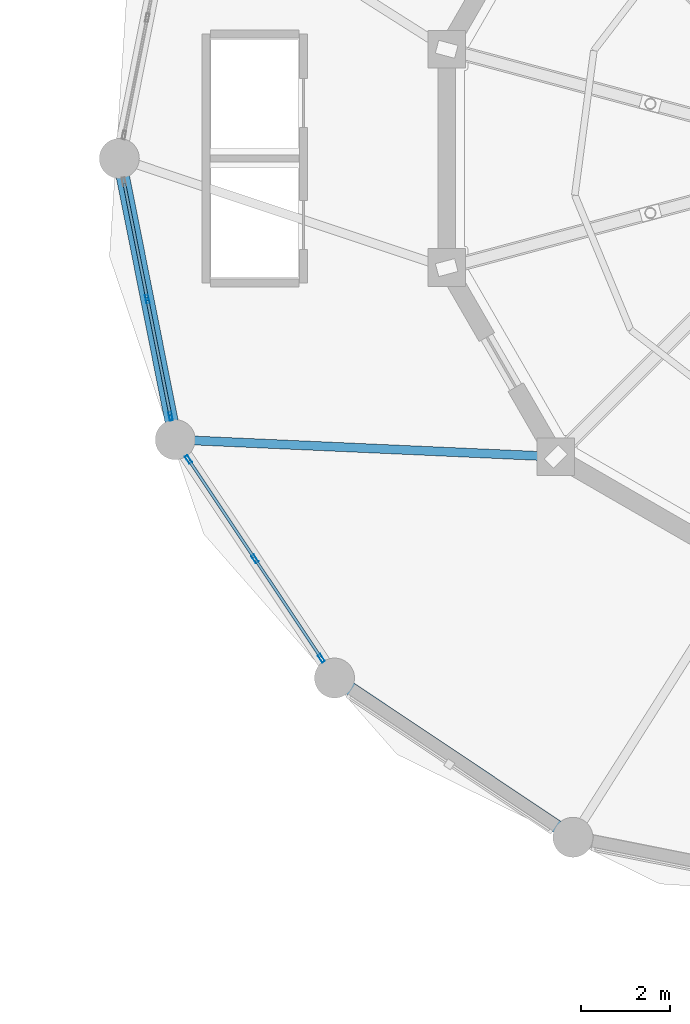
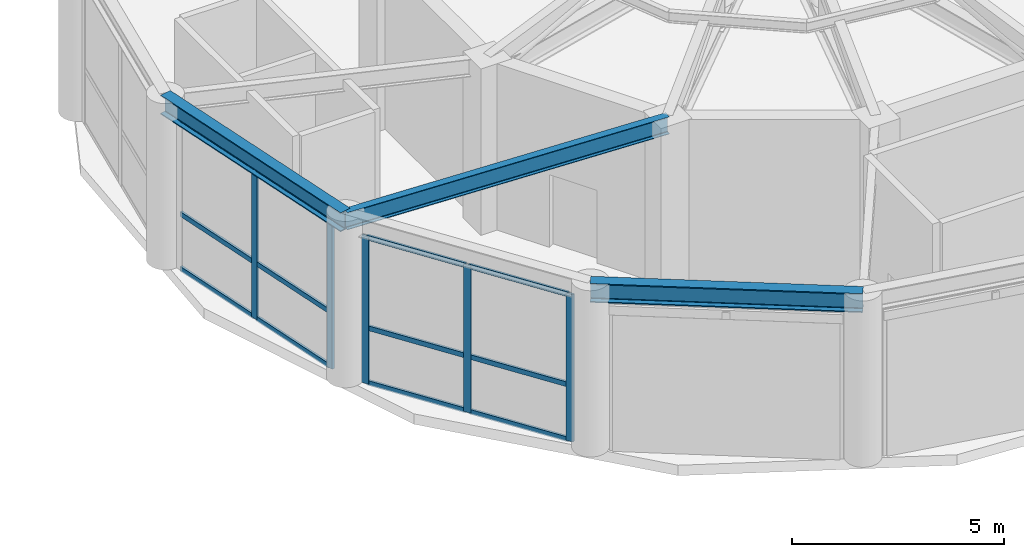
# One storey, part 7 of 26: 17 members, 3 beams, 2 elements without a shape of their own.
"""IFC4 building model written with IfcOpenShell, lengths in metres."""

from ifc_helpers import new_model, si_unit, derived_unit, direction, frame, origin, origin_2d, place, context, subcontext, project, spatial, hollow_rectangle, i_section, extrude, source, transform, mapped, material, layer, layer_set, material_profile, profile_set, type_object, element, aggregate, save


model = new_model("IFC4")

# Units and contexts
model_context = context("Model", 3, precision=1e-05, world=origin(), true_north=direction((0.0, 1.0)))
body_context = subcontext(model_context, "Body", "Model", "MODEL_VIEW")
ifc_project = project(units=[si_unit("LENGTHUNIT", "METRE"), si_unit("AREAUNIT", "SQUARE_METRE"), si_unit("VOLUMEUNIT", "CUBIC_METRE"), si_unit("PLANEANGLEUNIT", "RADIAN"), si_unit("MASSUNIT", "GRAM", prefix="KILO"), derived_unit("THERMALTRANSMITTANCEUNIT", [(si_unit("POWERUNIT", "WATT"), 1), (si_unit("LENGTHUNIT", "METRE"), -2), (si_unit("THERMODYNAMICTEMPERATUREUNIT", "KELVIN"), -1)])], contexts=[model_context])

# Site, building, storey
site_placement = place(None, origin())
site = spatial("IfcSite", under=ifc_project, at=site_placement, CompositionType="ELEMENT")
building_placement = place(site_placement, origin())
building = spatial("IfcBuilding", under=site, at=building_placement, Name="Korsvarv Bourse and Concert Hall", CompositionType="ELEMENT")
storey_placement = place(building_placement, frame((0.0, 0.0, 19.199951171875)))
storey = spatial("IfcBuildingStorey", under=building, at=storey_placement, Name="L04", CompositionType="ELEMENT", Elevation=19.199951171875)

# Beams
ifc_material_1 = material(Name="Steel S355", Category="steel")
ifc_material_profile_1 = material_profile(ifc_material_1, i_section(OverallWidth=0.300048828125, OverallDepth=0.550048828125, WebThickness=0.014892578125, FlangeThickness=0.029052734375, FilletRadius=0.02392578125, at=origin_2d()), Name="HEB 550")
ifc_profile_set_1 = profile_set([ifc_material_profile_1], Name="Steel S355")
beam_type_1 = type_object("IfcBeamType", Name="BM-HEB550", PredefinedType="BEAM", material=ifc_profile_set_1)
shared_shape_1 = source(origin(), body_context, "Body", "SweptSolid", [
    extrude(i_section(OverallWidth=0.300048828125, OverallDepth=0.550048828125, WebThickness=0.014892578125, FlangeThickness=0.029052734375, FilletRadius=0.02392578125, at=origin_2d()), origin(), (0.0, 0.0, 1.0), 6.45751953125),
])
for number, where, z_axis, x_axis, name in (
    (1, (90.25, 36.0, 4.525146484375), (0.195083607229, -0.980786616034, 0.0), (0.980786616034, 0.195083607229, 0.0), "L04 beam B-06"),
    (2, (95.097412109375, 24.29736328125, 4.525146484375), (0.83146235745, -0.55558109052, 0.0), (0.55558109052, 0.83146235745, 0.0), "L04 beam B-06"),
):
    element("IfcBeam", number, at=place(storey_placement, frame(where, z_axis=z_axis, x_axis=x_axis)), inside=storey, type_object=beam_type_1, Name=name, PredefinedType="BEAM", context=body_context, shape_type="MappedRepresentation", body=[
        mapped(shared_shape_1, transform((0.0, 0.0, 0.0), scale=1.0)),
    ])
ifc_material_profile_2 = material_profile(ifc_material_1, i_section(OverallWidth=0.199951171875, OverallDepth=0.5, WebThickness=0.01025390625, FlangeThickness=0.01611328125, FilletRadius=0.02099609375, at=origin_2d()), Name="IPE 500")
ifc_profile_set_2 = profile_set([ifc_material_profile_2], Name="Steel S355")
beam_type_2 = type_object("IfcBeamType", Name="BM-IPE500", PredefinedType="JOIST", material=ifc_profile_set_2)
shared_shape_2 = source(origin(), body_context, "Body", "SweptSolid", [
    extrude(i_section(OverallWidth=0.199951171875, OverallDepth=0.5, WebThickness=0.01025390625, FlangeThickness=0.01611328125, FilletRadius=0.02099609375, at=origin_2d()), origin(), (0.0, 0.0, 1.0), 8.581298828125),
])
beam_placement = place(storey_placement, frame((100.08251953125, 29.282470703125, 4.550048828125), z_axis=(-0.998998124412, 0.044752066119, 0.0), x_axis=(-0.044752066119, -0.998998124412, 0.0)))
element("IfcBeam", 3, at=beam_placement, inside=storey, type_object=beam_type_2, Name="L04 beam J-03", PredefinedType="JOIST", context=body_context, shape_type="MappedRepresentation", body=[
    mapped(shared_shape_2, transform((0.0, 0.0, 0.0), scale=1.0)),
])

# Curtain wall, members
ifc_material_2 = material(Name="Anodised aluminium and triple low-E glazing", Category="glass")
ifc_layer = layer(ifc_material_2, 0.22998046875)
ifc_layer_set = layer_set([ifc_layer], Name="Anodised aluminium and triple low-E glazing")
curtain_wall_type = type_object("IfcCurtainWallType", Name="CW-SYS-6", PredefinedType="NOTDEFINED", material=ifc_layer_set)
curtain_wall_1_placement = place(storey_placement, origin())
curtain_wall_1 = element("IfcCurtainWall", 4, at=curtain_wall_1_placement, inside=storey, type_object=curtain_wall_type, Name="L04 CW6 curtain wall CW-L04-CH09", PredefinedType="NOTDEFINED")
ifc_material_3 = material(Name="Extruded aluminium EN AW-6063 T66", Category="aluminium")
ifc_material_profile_3 = material_profile(ifc_material_3, hollow_rectangle(XDim=0.06494140625, YDim=0.139892578125, WallThickness=0.00390625, at=origin_2d()), Name="ALU-T 65x140")
ifc_profile_set_3 = profile_set([ifc_material_profile_3], Name="Extruded aluminium EN AW-6063 T66")
member_type_1 = type_object("IfcMemberType", Name="CWT-140", PredefinedType="USERDEFINED", material=ifc_profile_set_3)
shared_shape_3 = source(origin(), body_context, "Body", "SweptSolid", [
    extrude(hollow_rectangle(XDim=0.06494140625, YDim=0.139892578125, WallThickness=0.00390625, at=origin_2d()), origin(), (0.0, 0.0, 1.0), 2.62353515625),
])
member_1_placement = place(storey_placement, frame((90.88671875, 32.799072265625, 0.032470703125), z_axis=(0.195042311364, -0.980794829094, 0.0), x_axis=(0.980794829094, 0.195042311364, 0.0)))
member_1 = element("IfcMember", 5, at=member_1_placement, type_object=member_type_1, Name="CW6 transom 2.1", ObjectType="TRANSOM", PredefinedType="USERDEFINED", context=body_context, shape_type="MappedRepresentation", body=[
    mapped(shared_shape_3, transform((0.0, 0.0, 0.0), scale=1.0)),
])
member_2_placement = place(storey_placement, frame((90.88671875, 32.799072265625, 1.614990234375), z_axis=(0.195042311364, -0.980794829094, 0.0), x_axis=(0.980794829094, 0.195042311364, 0.0)))
member_2 = element("IfcMember", 6, at=member_2_placement, type_object=member_type_1, Name="CW6 transom 2.2", ObjectType="TRANSOM", PredefinedType="USERDEFINED", context=body_context, shape_type="MappedRepresentation", body=[
    mapped(shared_shape_3, transform((0.0, 0.0, 0.0), scale=1.0)),
])
member_3_placement = place(storey_placement, frame((90.88671875, 32.799072265625, 4.217529296875), z_axis=(0.195042311364, -0.980794829094, 0.0), x_axis=(0.980794829094, 0.195042311364, 0.0)))
member_3 = element("IfcMember", 7, at=member_3_placement, type_object=member_type_1, Name="CW6 transom 2.3", ObjectType="TRANSOM", PredefinedType="USERDEFINED", context=body_context, shape_type="MappedRepresentation", body=[
    mapped(shared_shape_3, transform((0.0, 0.0, 0.0), scale=1.0)),
])

curtain_wall_2_placement = place(storey_placement, origin())
curtain_wall_2 = element("IfcCurtainWall", 8, at=curtain_wall_2_placement, inside=storey, type_object=curtain_wall_type, Name="L04 CW6 curtain wall CW-L04-CH10", PredefinedType="NOTDEFINED")
member_4_placement = place(storey_placement, frame((91.82666015625, 29.1923828125, 0.032470703125), z_axis=(0.555558901624, -0.831477183587, 0.0), x_axis=(0.831477183587, 0.555558901624, 0.0)))
member_4 = element("IfcMember", 9, at=member_4_placement, type_object=member_type_1, Name="CW6 transom 1.1", ObjectType="TRANSOM", PredefinedType="USERDEFINED", context=body_context, shape_type="MappedRepresentation", body=[
    mapped(shared_shape_3, transform((0.0, 0.0, 0.0), scale=1.0)),
])
member_5_placement = place(storey_placement, frame((91.82666015625, 29.1923828125, 1.614990234375), z_axis=(0.555558901624, -0.831477183587, 0.0), x_axis=(0.831477183587, 0.555558901624, 0.0)))
member_5 = element("IfcMember", 10, at=member_5_placement, type_object=member_type_1, Name="CW6 transom 1.2", ObjectType="TRANSOM", PredefinedType="USERDEFINED", context=body_context, shape_type="MappedRepresentation", body=[
    mapped(shared_shape_3, transform((0.0, 0.0, 0.0), scale=1.0)),
])
member_6_placement = place(storey_placement, frame((91.82666015625, 29.1923828125, 4.217529296875), z_axis=(0.555558901624, -0.831477183587, 0.0), x_axis=(0.831477183587, 0.555558901624, 0.0)))
member_6 = element("IfcMember", 11, at=member_6_placement, type_object=member_type_1, Name="CW6 transom 1.3", ObjectType="TRANSOM", PredefinedType="USERDEFINED", context=body_context, shape_type="MappedRepresentation", body=[
    mapped(shared_shape_3, transform((0.0, 0.0, 0.0), scale=1.0)),
])
member_7_placement = place(storey_placement, frame((93.322998046875, 26.952880859375, 0.032470703125), z_axis=(0.555558901624, -0.831477183587, 0.0), x_axis=(0.831477183587, 0.555558901624, 0.0)))
member_7 = element("IfcMember", 12, at=member_7_placement, type_object=member_type_1, Name="CW6 transom 2.1", ObjectType="TRANSOM", PredefinedType="USERDEFINED", context=body_context, shape_type="MappedRepresentation", body=[
    mapped(shared_shape_3, transform((0.0, 0.0, 0.0), scale=1.0)),
])
member_8_placement = place(storey_placement, frame((93.322998046875, 26.952880859375, 1.614990234375), z_axis=(0.555558901624, -0.831477183587, 0.0), x_axis=(0.831477183587, 0.555558901624, 0.0)))
member_8 = element("IfcMember", 13, at=member_8_placement, type_object=member_type_1, Name="CW6 transom 2.2", ObjectType="TRANSOM", PredefinedType="USERDEFINED", context=body_context, shape_type="MappedRepresentation", body=[
    mapped(shared_shape_3, transform((0.0, 0.0, 0.0), scale=1.0)),
])
member_9_placement = place(storey_placement, frame((93.322998046875, 26.952880859375, 4.217529296875), z_axis=(0.555558901624, -0.831477183587, 0.0), x_axis=(0.831477183587, 0.555558901624, 0.0)))
member_9 = element("IfcMember", 14, at=member_9_placement, type_object=member_type_1, Name="CW6 transom 2.3", ObjectType="TRANSOM", PredefinedType="USERDEFINED", context=body_context, shape_type="MappedRepresentation", body=[
    mapped(shared_shape_3, transform((0.0, 0.0, 0.0), scale=1.0)),
])

# Member
shared_shape_4 = source(origin(), body_context, "Body", "SweptSolid", [
    extrude(hollow_rectangle(XDim=0.06494140625, YDim=0.139892578125, WallThickness=0.00390625, at=origin_2d()), origin(), (0.0, 0.0, 1.0), 2.623291015625),
])
member_10_placement = place(storey_placement, frame((90.361328125, 35.440673828125, 0.032470703125), z_axis=(0.195060113964, -0.980791288675, 0.0), x_axis=(0.980791288675, 0.195060113964, 0.0)))
member_10 = element("IfcMember", 15, at=member_10_placement, type_object=member_type_1, Name="CW6 transom 1.1", ObjectType="TRANSOM", PredefinedType="USERDEFINED", context=body_context, shape_type="MappedRepresentation", body=[
    mapped(shared_shape_4, transform((0.0, 0.0, 0.0), scale=1.0)),
])

member_11_placement = place(storey_placement, frame((90.361328125, 35.440673828125, 1.614990234375), z_axis=(0.195060113964, -0.980791288675, 0.0), x_axis=(0.980791288675, 0.195060113964, 0.0)))
member_11 = element("IfcMember", 16, at=member_11_placement, type_object=member_type_1, Name="CW6 transom 1.2", ObjectType="TRANSOM", PredefinedType="USERDEFINED", context=body_context, shape_type="MappedRepresentation", body=[
    mapped(shared_shape_4, transform((0.0, 0.0, 0.0), scale=1.0)),
])

member_12_placement = place(storey_placement, frame((90.361328125, 35.440673828125, 4.217529296875), z_axis=(0.195060113964, -0.980791288675, 0.0), x_axis=(0.980791288675, 0.195060113964, 0.0)))
member_12 = element("IfcMember", 17, at=member_12_placement, type_object=member_type_1, Name="CW6 transom 1.3", ObjectType="TRANSOM", PredefinedType="USERDEFINED", context=body_context, shape_type="MappedRepresentation", body=[
    mapped(shared_shape_4, transform((0.0, 0.0, 0.0), scale=1.0)),
])

ifc_material_profile_4 = material_profile(ifc_material_3, hollow_rectangle(XDim=0.070068359375, YDim=0.18994140625, WallThickness=0.0048828125, at=origin_2d()), Name="ALU-M 70x190")
ifc_profile_set_4 = profile_set([ifc_material_profile_4], Name="Extruded aluminium EN AW-6063 T66")
member_type_2 = type_object("IfcMemberType", Name="CWM-190", PredefinedType="MULLION", material=ifc_profile_set_4)
shared_shape_5 = source(origin(), body_context, "Body", "SweptSolid", [
    extrude(hollow_rectangle(XDim=0.070068359375, YDim=0.18994140625, WallThickness=0.0048828125, at=origin_2d()), origin(), (0.0, 0.0, 1.0), 4.25),
])
member_13_placement = place(storey_placement, frame((90.8798828125, 32.833251953125, 0.0), z_axis=(0.0, 0.0, 1.0), x_axis=(0.980785938629, 0.195087012862, 0.0)))
member_13 = element("IfcMember", 18, at=member_13_placement, type_object=member_type_2, Name="CW6 mullion 2", PredefinedType="MULLION", context=body_context, shape_type="MappedRepresentation", body=[
    mapped(shared_shape_5, transform((0.0, 0.0, 0.0), scale=1.0)),
])

member_14_placement = place(storey_placement, frame((91.4052734375, 30.19140625, 0.0), z_axis=(0.0, 0.0, 1.0), x_axis=(0.980785938629, 0.195087012862, 0.0)))
member_14 = element("IfcMember", 19, at=member_14_placement, type_object=member_type_2, Name="CW6 mullion 3", PredefinedType="MULLION", context=body_context, shape_type="MappedRepresentation", body=[
    mapped(shared_shape_5, transform((0.0, 0.0, 0.0), scale=1.0)),
])

aggregate(curtain_wall_1, [member_13, member_14, member_10, member_11, member_12, member_1, member_2, member_3])

member_15_placement = place(storey_placement, frame((91.80712890625, 29.2216796875, 0.0), z_axis=(0.0, 0.0, 1.0), x_axis=(0.831469083386, 0.555571024599, 0.0)))
member_15 = element("IfcMember", 20, at=member_15_placement, type_object=member_type_2, Name="CW6 mullion 1", PredefinedType="MULLION", context=body_context, shape_type="MappedRepresentation", body=[
    mapped(shared_shape_5, transform((0.0, 0.0, 0.0), scale=1.0)),
])

member_16_placement = place(storey_placement, frame((93.3037109375, 26.98193359375, 0.0), z_axis=(0.0, 0.0, 1.0), x_axis=(0.831469083386, 0.555571024599, 0.0)))
member_16 = element("IfcMember", 21, at=member_16_placement, type_object=member_type_2, Name="CW6 mullion 2", PredefinedType="MULLION", context=body_context, shape_type="MappedRepresentation", body=[
    mapped(shared_shape_5, transform((0.0, 0.0, 0.0), scale=1.0)),
])

member_17_placement = place(storey_placement, frame((94.800048828125, 24.742431640625, 0.0), z_axis=(0.0, 0.0, 1.0), x_axis=(0.831469083386, 0.555571024599, 0.0)))
member_17 = element("IfcMember", 22, at=member_17_placement, type_object=member_type_2, Name="CW6 mullion 3", PredefinedType="MULLION", context=body_context, shape_type="MappedRepresentation", body=[
    mapped(shared_shape_5, transform((0.0, 0.0, 0.0), scale=1.0)),
])

aggregate(curtain_wall_2, [member_15, member_16, member_17, member_4, member_5, member_6, member_7, member_8, member_9])

save(model, "model.ifc")
